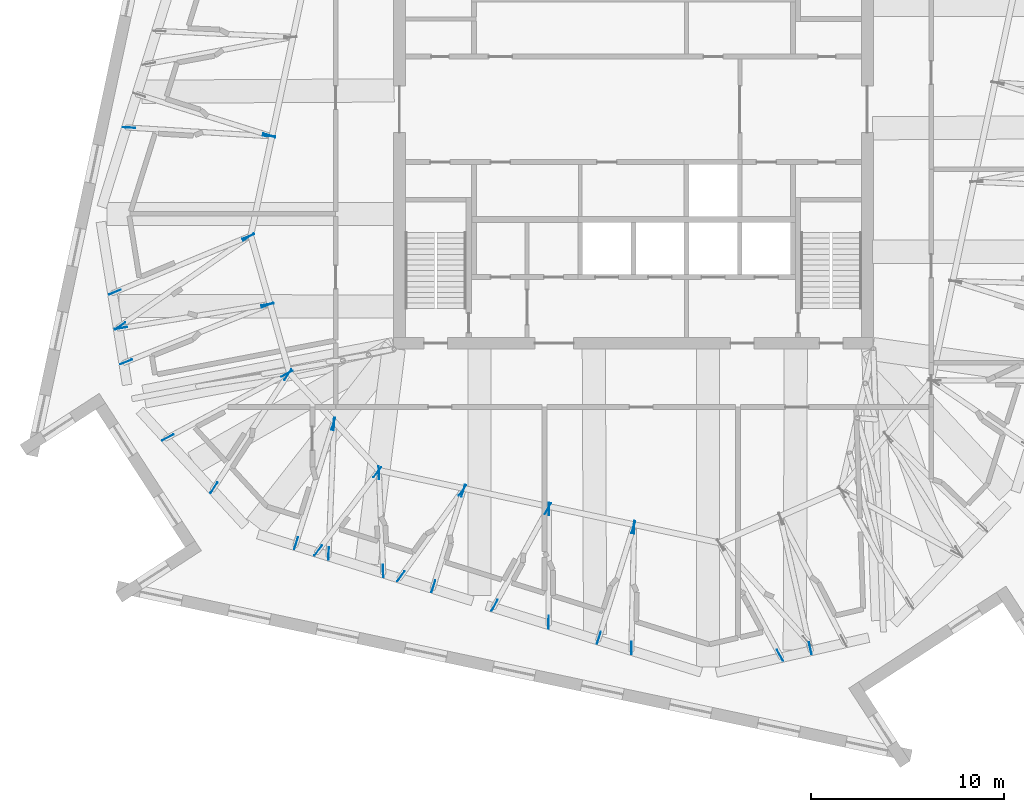
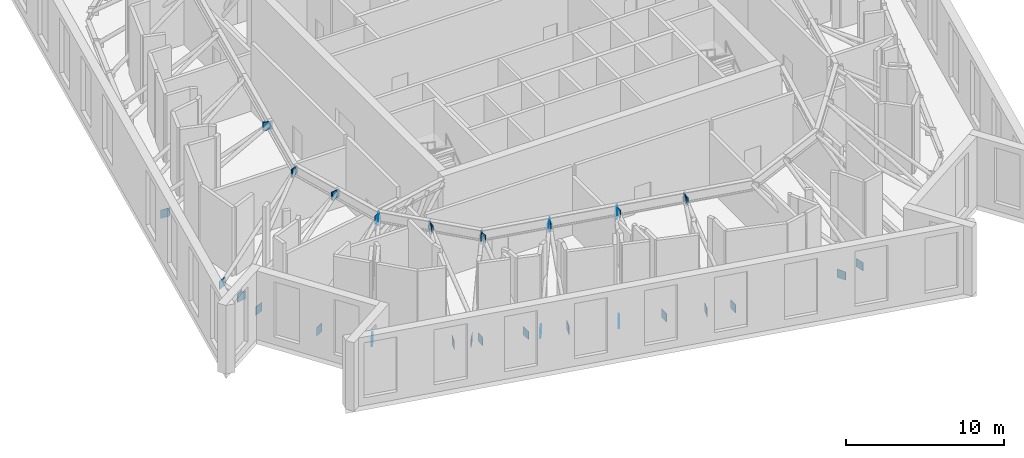
# One storey, part 14 of 19: 37 discrete accessories.
"""IFC4 building model written with IfcOpenShell, lengths in metres."""

from ifc_helpers import new_model, si_unit, direction, frame, origin, origin_2d, place, context, subcontext, project, spatial, rectangle, extrude, material, layer, layer_set, type_object, element, save


model = new_model("IFC4")

# Units and contexts
model_context = context("Model", 3, precision=1e-05, world=origin(), true_north=direction((0.0, 1.0)))
body_context = subcontext(model_context, "Body", "Model", "MODEL_VIEW")
ifc_project = project(units=[si_unit("LENGTHUNIT", "METRE"), si_unit("AREAUNIT", "SQUARE_METRE"), si_unit("VOLUMEUNIT", "CUBIC_METRE"), si_unit("PLANEANGLEUNIT", "RADIAN"), si_unit("MASSUNIT", "GRAM", prefix="KILO")], contexts=[model_context])

# Site, building, storey
site_placement = place(None, origin())
site = spatial("IfcSite", under=ifc_project, at=site_placement, CompositionType="ELEMENT")
building_placement = place(site_placement, origin())
building = spatial("IfcBuilding", under=site, at=building_placement, Name="Dilmun Exchange Tower", CompositionType="ELEMENT")
storey_placement = place(building_placement, frame((0.0, 0.0, 344.5)))
storey = spatial("IfcBuildingStorey", under=building, at=storey_placement, Name="L82", CompositionType="ELEMENT", Elevation=344.5)

# Discrete accessories
ifc_material = material(Name="Steel S355J2", Category="steel")
ifc_layer = layer(ifc_material, 0.02001953125)
ifc_layer_set = layer_set([ifc_layer], Name="Steel S355J2")
discrete_accessory_type = type_object("IfcDiscreteAccessoryType", Name="Gusset plate 20 x 650 x 650", PredefinedType="BRACKET", material=ifc_layer_set)
for number, where, z_axis, x_axis, name in (
    (1, (-18.82958984375, -1.352294921875, 4.48095703125), (0.0, 0.0, 1.0), (-0.954720826567, 0.297503182032, 0.0), "Gusset plate L82-DG11 end 1"),
    (2, (-18.836669921875, -1.384521484375, 4.482666015625), (0.0, 0.0, 1.0), (-0.998157636355, 0.060673989365, 0.0), "Gusset plate L82-DG12 end 1"),
    (3, (-26.076904296875, -0.944580078125, 0.01025390625), (0.0, 0.0, 1.0), (-0.998157636355, 0.060673989365, 0.0), "Gusset plate L82-DG12 end 2"),
    (4, (-19.918701171875, -6.58154296875, 4.484619140625), (0.0, 0.0, 1.0), (-0.923221618978, -0.384267930292, 0.0), "Gusset plate L82-DG13 end 1"),
    (5, (-26.8173828125, -9.452880859375, 0.008544921875), (0.0, 0.0, 1.0), (-0.923221618978, -0.384267930292, 0.0), "Gusset plate L82-DG13 end 2"),
    (6, (-19.90673828125, -6.60888671875, 4.4892578125), (0.0, 0.0, 1.0), (-0.82219769071, -0.569202035652, 0.0), "Gusset plate L82-DG14 end 1"),
    (7, (-26.54248046875, -11.20263671875, 0.00390625), (0.0, 0.0, 1.0), (-0.82219769071, -0.569202035652, 0.0), "Gusset plate L82-DG14 end 2"),
    (8, (-18.9326171875, -10.08984375, 4.486083984375), (0.0, 0.0, 1.0), (-0.987219565204, -0.159366025483, 0.0), "Gusset plate L82-DG15 end 1"),
    (9, (-26.51220703125, -11.3134765625, 0.0068359375), (0.0, 0.0, 1.0), (-0.987219565204, -0.159366025483, 0.0), "Gusset plate L82-DG15 end 2"),
    (10, (-18.925048828125, -10.1201171875, 4.487548828125), (0.0, 0.0, 1.0), (-0.927740528349, -0.373225819121, 0.0), "Gusset plate L82-DG16 end 1"),
    (11, (-26.23291015625, -13.06005859375, 0.00537109375), (0.0, 0.0, 1.0), (-0.927740528349, -0.373225819121, 0.0), "Gusset plate L82-DG16 end 2"),
    (12, (-17.872802734375, -13.7216796875, 4.48046875), (0.0, 0.0, 1.0), (-0.546704202908, -0.837325811451, 0.0), "Gusset plate L82-DG17 end 1"),
    (13, (-21.690185546875, -19.568115234375, 0.0126953125), (0.0, 0.0, 1.0), (-0.546704202908, -0.837325811451, 0.0), "Gusset plate L82-DG17 end 2"),
    (14, (-17.918701171875, -13.67138671875, 4.48046875), (0.0, 0.0, 1.0), (-0.88185132153, -0.471527567291, 0.0), "Gusset plate L82-DG18 end 1"),
    (15, (-24.076171875, -16.964111328125, 0.0126953125), (0.0, 0.0, 1.0), (-0.88185132153, -0.471527567291, 0.0), "Gusset plate L82-DG18 end 2"),
    (16, (-15.523193359375, -16.26611328125, 4.475830078125), (0.0, 0.0, 1.0), (-0.297531509039, -0.95471199905, 0.0), "Gusset plate L82-DG19 end 1"),
    (17, (-17.44775390625, -22.44140625, 0.017333984375), (0.0, 0.0, 1.0), (-0.297531509039, -0.95471199905, 0.0), "Gusset plate L82-DG19 end 2"),
    (18, (-15.489013671875, -16.273681640625, 4.47802734375), (0.0, 0.0, 1.0), (-0.040963629898, -0.999160638249, 0.0), "Gusset plate L82-DG20 end 1"),
    (19, (-15.763671875, -22.9697265625, 0.01513671875), (0.0, 0.0, 1.0), (-0.040963629898, -0.999160638249, 0.0), "Gusset plate L82-DG20 end 2"),
    (20, (-13.163818359375, -18.792236328125, 4.461181640625), (0.0, 0.0, 1.0), (0.042960271384, -0.999076781375, 0.0), "Gusset plate L82-DG21 end 1"),
    (21, (-12.94580078125, -23.864013671875, 0.03173828125), (0.0, 0.0, 1.0), (0.042960271384, -0.999076781375, 0.0), "Gusset plate L82-DG21 end 2"),
    (22, (-13.242919921875, -18.767578125, 4.461181640625), (0.0, 0.0, 1.0), (-0.602930934102, -0.797793387227, 0.0), "Gusset plate L82-DG22 end 1"),
    (23, (-16.303466796875, -22.8173828125, 0.03173828125), (0.0, 0.0, 1.0), (-0.602930934102, -0.797793387227, 0.0), "Gusset plate L82-DG22 end 2"),
    (24, (-8.80419921875, -19.723388671875, 4.46240234375), (0.0, 0.0, 1.0), (-0.297533175325, -0.954711479758, 0.0), "Gusset plate L82-DG23 end 1"),
    (25, (-10.344482421875, -24.666015625, 0.03076171875), (0.0, 0.0, 1.0), (-0.297533175325, -0.954711479758, 0.0), "Gusset plate L82-DG23 end 2"),
    (26, (-8.841064453125, -19.7080078125, 4.465576171875), (0.0, 0.0, 1.0), (-0.583080477734, -0.812414399482, 0.0), "Gusset plate L82-DG24 end 1"),
    (27, (-12.026123046875, -24.145751953125, 0.027587890625), (0.0, 0.0, 1.0), (-0.583080477734, -0.812414399482, 0.0), "Gusset plate L82-DG24 end 2"),
    (28, (-4.427978515625, -20.6533203125, 4.46826171875), (0.0, 0.0, 1.0), (-0.482484580446, -0.875904463758, 0.0), "Gusset plate L82-DG25 end 1"),
    (29, (-7.18017578125, -25.64990234375, 0.02490234375), (0.0, 0.0, 1.0), (-0.482484580446, -0.875904463758, 0.0), "Gusset plate L82-DG25 end 2"),
    (30, (-4.366455078125, -20.67041015625, 4.4697265625), (0.0, 0.0, 1.0), (-0.003077010616, -0.999995265992, 0.0), "Gusset plate L82-DG26 end 1"),
    (31, (-4.384521484375, -26.52294921875, 0.0234375), (0.0, 0.0, 1.0), (-0.003077010616, -0.999995265992, 0.0), "Gusset plate L82-DG26 end 2"),
    (32, (-0.00341796875, -21.60107421875, 4.47119140625), (0.0, 0.0, 1.0), (-0.297469855807, -0.954731210805, 0.0), "Gusset plate L82-DG27 end 1"),
    (33, (-1.786865234375, -27.3251953125, 0.021728515625), (0.0, 0.0, 1.0), (-0.297469855807, -0.954731210805, 0.0), "Gusset plate L82-DG27 end 2"),
    (34, (0.03271484375, -21.60888671875, 4.4736328125), (0.0, 0.0, 1.0), (-0.021903875557, -0.999760081337, 0.0), "Gusset plate L82-DG28 end 1"),
    (35, (-0.104248046875, -27.852783203125, 0.01953125), (0.0, 0.0, 1.0), (-0.021903875557, -0.999760081337, 0.0), "Gusset plate L82-DG28 end 2"),
    (36, (7.579345703125, -28.235595703125, 0.01708984375), (0.0, 0.0, 1.0), (0.4748717498, -0.88005501035, 0.0), "Gusset plate L82-DG29 end 2"),
    (37, (9.1435546875, -27.870361328125, 0.013671875), (0.0, 0.0, 1.0), (0.223042554886, -0.974808708778, 0.0), "Gusset plate L82-DG31 end 2"),
):
    element("IfcDiscreteAccessory", number, at=place(storey_placement, frame(where, z_axis=z_axis, x_axis=x_axis)), inside=storey, type_object=discrete_accessory_type, Name=name, PredefinedType="BRACKET", context=body_context, shape_type="SweptSolid", body=[
        extrude(rectangle(XDim=0.64990234375, YDim=0.02001953125, at=origin_2d()), origin(), (0.0, 0.0, 1.0), 0.64990234375),
    ])

save(model, "model.ifc")
